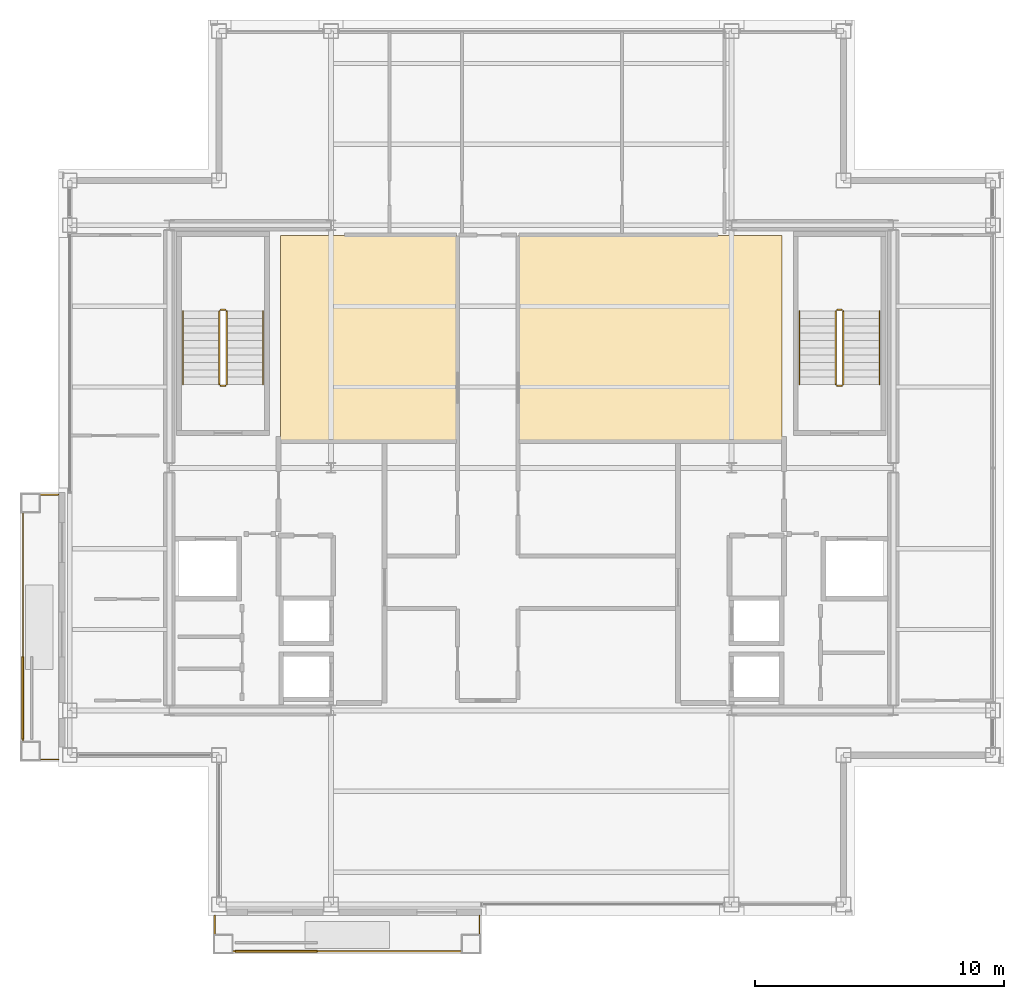
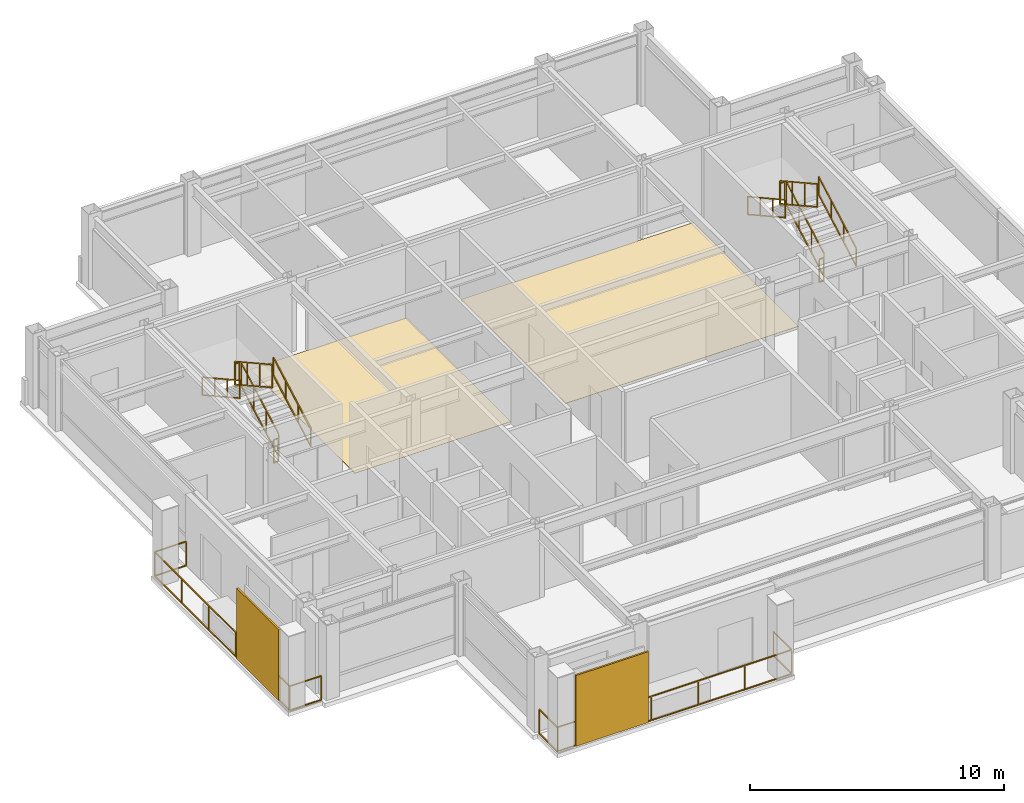
# One storey, part 23 of 24: 14 railings, 2 coverings, 2 shading devices.
"""IFC4 building model written with IfcOpenShell, lengths in metres."""

from ifc_helpers import new_model, si_unit, direction, frame, origin, origin_2d, place, context, subcontext, project, spatial, polyline, rectangle, outline, extrude, material, layer, layer_set, type_object, element, save


model = new_model("IFC4")

# Units and contexts
model_context = context("Model", 3, precision=1e-05, world=origin(), true_north=direction((0.0, 1.0)))
body_context = subcontext(model_context, "Body", "Model", "MODEL_VIEW")
ifc_project = project(units=[si_unit("LENGTHUNIT", "METRE"), si_unit("AREAUNIT", "SQUARE_METRE"), si_unit("VOLUMEUNIT", "CUBIC_METRE"), si_unit("PLANEANGLEUNIT", "RADIAN"), si_unit("MASSUNIT", "GRAM", prefix="KILO")], contexts=[model_context])

# Site, building, storey
site_placement = place(None, origin())
site = spatial("IfcSite", under=ifc_project, at=site_placement, CompositionType="ELEMENT")
building_placement = place(site_placement, origin())
building = spatial("IfcBuilding", under=site, at=building_placement, Name="Brelmoor Portico Tower", CompositionType="ELEMENT")
storey_placement = place(building_placement, frame((0.0, 0.0, 261.60009765625)))
storey = spatial("IfcBuildingStorey", under=building, at=storey_placement, Name="L69", CompositionType="ELEMENT", Elevation=261.60009765625)

# Coverings
ifc_material_1 = material(Name="Solution-Dyed Nylon Acoustic Carpet Tile", Category="textile")
ifc_layer_1 = layer(ifc_material_1, 0.013916015625)
ifc_layer_set_1 = layer_set([ifc_layer_1], Name="Solution-Dyed Nylon Acoustic Carpet Tile")
covering_type_1 = type_object("IfcCoveringType", Name="CV-FLR-CARPET-14", PredefinedType="FLOORING", material=ifc_layer_set_1)
covering_1_placement = place(storey_placement, origin())
element("IfcCovering", 1, at=covering_1_placement, inside=storey, type_object=covering_type_1, Name="L69 Architectural Floor Finish 01", PredefinedType="FLOORING", context=body_context, shape_type="SweptSolid", body=[
    extrude(outline(polyline([(-10.080078125, 1.090087890625), (-10.080078125, 9.330078125), (-2.989990234375, 9.330078125), (-2.989990234375, 1.090087890625), (-10.080078125, 1.090087890625)])), origin(), (0.0, 0.0, 1.0), 0.013916015625),
])
ifc_material_2 = material(Name="Rectified Vitrified Porcelain Floor Tile", Category="ceramic")
ifc_layer_2 = layer(ifc_material_2, 0.01806640625)
ifc_layer_set_2 = layer_set([ifc_layer_2], Name="Rectified Vitrified Porcelain Floor Tile")
covering_type_2 = type_object("IfcCoveringType", Name="CV-FLR-PORCELAIN-18", PredefinedType="FLOORING", material=ifc_layer_set_2)
covering_2_placement = place(storey_placement, origin())
element("IfcCovering", 2, at=covering_2_placement, inside=storey, type_object=covering_type_2, Name="L69 Architectural Floor Finish 02", PredefinedType="FLOORING", context=body_context, shape_type="SweptSolid", body=[
    extrude(outline(polyline([(-0.510009765625, 1.090087890625), (-0.510009765625, 9.330078125), (10.080078125, 9.330078125), (10.080078125, 1.090087890625), (-0.510009765625, 1.090087890625)])), origin(), (0.0, 0.0, 1.0), 0.017822265625),
])

# Railings
ifc_material_3 = material(Name="Perforated Pale Champagne Aluminium Fretwork Guard", Category="aluminium")
railing_type_1 = type_object("IfcRailingType", Name="RL-BALUSTRADE-1200", PredefinedType="BALUSTRADE", material=ifc_material_3)
railing_1_placement = place(storey_placement, frame((-12.719970703125, -18.0, 0.0)))
element("IfcRailing", 3, at=railing_1_placement, inside=storey, type_object=railing_type_1, Name="L69 Tree Balcony Fretwork Balustrade S", PredefinedType="BALUSTRADE", context=body_context, shape_type="SweptSolid", body=[
    extrude(rectangle(XDim=0.048095703125, YDim=0.048095703125, at=origin_2d()), frame((0.0, 0.0, 1.17578125), z_axis=(0.0, -1.0, 0.0), x_axis=(1.0, 0.0, 0.0)), (0.0, 0.0, 1.0), 1.429931640625),
    extrude(rectangle(XDim=0.048095703125, YDim=0.048095703125, at=origin_2d()), frame((0.0, 0.0, 0.02392578125), z_axis=(0.0, -1.0, 0.0), x_axis=(1.0, 0.0, 0.0)), (0.0, 0.0, 1.0), 1.429931640625),
    extrude(rectangle(XDim=0.048095703125, YDim=0.048095703125, at=origin_2d()), frame((0.0, -1.429931640625, 1.17578125), z_axis=(1.0, 0.0, 0.0), x_axis=(0.0, 1.0, 0.0)), (0.0, 0.0, 1.0), 10.639892578125),
    extrude(rectangle(XDim=0.048095703125, YDim=0.048095703125, at=origin_2d()), frame((0.0, -1.429931640625, 0.02392578125), z_axis=(1.0, 0.0, 0.0), x_axis=(0.0, 1.0, 0.0)), (0.0, 0.0, 1.0), 10.639892578125),
    extrude(rectangle(XDim=0.048095703125, YDim=0.048095703125, at=origin_2d()), frame((10.639892578125, -1.429931640625, 1.17578125), z_axis=(0.0, 1.0, 0.0), x_axis=(-1.0, 0.0, 0.0)), (0.0, 0.0, 1.0), 1.429931640625),
    extrude(rectangle(XDim=0.048095703125, YDim=0.048095703125, at=origin_2d()), frame((10.639892578125, -1.429931640625, 0.02392578125), z_axis=(0.0, 1.0, 0.0), x_axis=(-1.0, 0.0, 0.0)), (0.0, 0.0, 1.0), 1.429931640625),
    extrude(rectangle(XDim=0.0419921875, YDim=0.0419921875, at=origin_2d()), origin(), (0.0, 0.0, 1.0), 1.15185546875),
    extrude(rectangle(XDim=0.0419921875, YDim=0.0419921875, at=origin_2d()), frame((0.0, -1.429931640625, 0.0)), (0.0, 0.0, 1.0), 1.15185546875),
    extrude(rectangle(XDim=0.0419921875, YDim=0.0419921875, at=origin_2d()), frame((2.1279296875, -1.429931640625, 0.0)), (0.0, 0.0, 1.0), 1.15185546875),
    extrude(rectangle(XDim=0.0419921875, YDim=0.0419921875, at=origin_2d()), frame((4.255859375, -1.429931640625, 0.0)), (0.0, 0.0, 1.0), 1.15185546875),
    extrude(rectangle(XDim=0.0419921875, YDim=0.0419921875, at=origin_2d()), frame((6.384033203125, -1.429931640625, 0.0)), (0.0, 0.0, 1.0), 1.15185546875),
    extrude(rectangle(XDim=0.0419921875, YDim=0.0419921875, at=origin_2d()), frame((8.511962890625, -1.429931640625, 0.0)), (0.0, 0.0, 1.0), 1.15185546875),
    extrude(rectangle(XDim=0.0419921875, YDim=0.0419921875, at=origin_2d()), frame((10.639892578125, -1.429931640625, 0.0)), (0.0, 0.0, 1.0), 1.15185546875),
    extrude(rectangle(XDim=0.0419921875, YDim=0.0419921875, at=origin_2d()), frame((10.639892578125, 0.0, 0.0)), (0.0, 0.0, 1.0), 1.15185546875),
])
railing_2_placement = place(storey_placement, frame((-19.0, -11.719970703125, 0.0)))
element("IfcRailing", 4, at=railing_2_placement, inside=storey, type_object=railing_type_1, Name="L69 Tree Balcony Fretwork Balustrade W", PredefinedType="BALUSTRADE", context=body_context, shape_type="SweptSolid", body=[
    extrude(rectangle(XDim=0.048095703125, YDim=0.048095703125, at=origin_2d()), frame((0.0, 0.0, 1.17578125), z_axis=(-1.0, 0.0, 0.0), x_axis=(0.0, -1.0, 0.0)), (0.0, 0.0, 1.0), 1.429931640625),
    extrude(rectangle(XDim=0.048095703125, YDim=0.048095703125, at=origin_2d()), frame((0.0, 0.0, 0.02392578125), z_axis=(-1.0, 0.0, 0.0), x_axis=(0.0, -1.0, 0.0)), (0.0, 0.0, 1.0), 1.429931640625),
    extrude(rectangle(XDim=0.048095703125, YDim=0.048095703125, at=origin_2d()), frame((-1.429931640625, 0.0, 1.17578125), z_axis=(0.0, 1.0, 0.0), x_axis=(-1.0, 0.0, 0.0)), (0.0, 0.0, 1.0), 10.639892578125),
    extrude(rectangle(XDim=0.048095703125, YDim=0.048095703125, at=origin_2d()), frame((-1.429931640625, 0.0, 0.02392578125), z_axis=(0.0, 1.0, 0.0), x_axis=(-1.0, 0.0, 0.0)), (0.0, 0.0, 1.0), 10.639892578125),
    extrude(rectangle(XDim=0.048095703125, YDim=0.048095703125, at=origin_2d()), frame((-1.429931640625, 10.639892578125, 1.17578125), z_axis=(1.0, 0.0, 0.0), x_axis=(0.0, 1.0, 0.0)), (0.0, 0.0, 1.0), 1.429931640625),
    extrude(rectangle(XDim=0.048095703125, YDim=0.048095703125, at=origin_2d()), frame((-1.429931640625, 10.639892578125, 0.02392578125), z_axis=(1.0, 0.0, 0.0), x_axis=(0.0, 1.0, 0.0)), (0.0, 0.0, 1.0), 1.429931640625),
    extrude(rectangle(XDim=0.0419921875, YDim=0.0419921875, at=origin_2d()), origin(), (0.0, 0.0, 1.0), 1.15185546875),
    extrude(rectangle(XDim=0.0419921875, YDim=0.0419921875, at=origin_2d()), frame((-1.429931640625, 0.0, 0.0)), (0.0, 0.0, 1.0), 1.15185546875),
    extrude(rectangle(XDim=0.0419921875, YDim=0.0419921875, at=origin_2d()), frame((-1.429931640625, 2.1279296875, 0.0)), (0.0, 0.0, 1.0), 1.15185546875),
    extrude(rectangle(XDim=0.0419921875, YDim=0.0419921875, at=origin_2d()), frame((-1.429931640625, 4.255859375, 0.0)), (0.0, 0.0, 1.0), 1.15185546875),
    extrude(rectangle(XDim=0.0419921875, YDim=0.0419921875, at=origin_2d()), frame((-1.429931640625, 6.384033203125, 0.0)), (0.0, 0.0, 1.0), 1.15185546875),
    extrude(rectangle(XDim=0.0419921875, YDim=0.0419921875, at=origin_2d()), frame((-1.429931640625, 8.511962890625, 0.0)), (0.0, 0.0, 1.0), 1.15185546875),
    extrude(rectangle(XDim=0.0419921875, YDim=0.0419921875, at=origin_2d()), frame((-1.429931640625, 10.639892578125, 0.0)), (0.0, 0.0, 1.0), 1.15185546875),
    extrude(rectangle(XDim=0.0419921875, YDim=0.0419921875, at=origin_2d()), frame((0.0, 10.639892578125, 0.0)), (0.0, 0.0, 1.0), 1.15185546875),
])
ifc_material_4 = material(Name="Painted Tubular Steel Q235B", Category="steel")
railing_type_2 = type_object("IfcRailingType", Name="RL-STAIR-GUARD", PredefinedType="GUARDRAIL", material=ifc_material_4)
railing_3_placement = place(storey_placement, frame((-12.239990234375, 3.35009765625, 0.16357421875)))
element("IfcRailing", 5, at=railing_3_placement, inside=storey, type_object=railing_type_2, Name="L69 ST-W stair guard 1", PredefinedType="GUARDRAIL", context=body_context, shape_type="SweptSolid", body=[
    extrude(rectangle(XDim=0.048095703125, YDim=0.048095703125, at=origin_2d()), frame((0.0, 0.0, 1.1259765625), z_axis=(0.0, 0.87448821551, 0.485046761595), x_axis=(-1.0, 0.0, 0.0)), (0.0, 0.0, 1.0), 3.373291015625),
    extrude(rectangle(XDim=0.048095703125, YDim=0.048095703125, at=origin_2d()), frame((0.0, 0.0, 0.02392578125), z_axis=(0.0, 0.87448821551, 0.485046761595), x_axis=(-1.0, 0.0, 0.0)), (0.0, 0.0, 1.0), 3.373291015625),
    extrude(rectangle(XDim=0.0419921875, YDim=0.0419921875, at=origin_2d()), origin(), (0.0, 0.0, 1.0), 1.101806640625),
    extrude(rectangle(XDim=0.0419921875, YDim=0.0419921875, at=origin_2d()), frame((0.0, 0.9833984375, 0.54541015625)), (0.0, 0.0, 1.0), 1.101806640625),
    extrude(rectangle(XDim=0.0419921875, YDim=0.0419921875, at=origin_2d()), frame((0.0, 1.966552734375, 1.0908203125)), (0.0, 0.0, 1.0), 1.101806640625),
    extrude(rectangle(XDim=0.0419921875, YDim=0.0419921875, at=origin_2d()), frame((0.0, 2.949951171875, 1.63623046875)), (0.0, 0.0, 1.0), 1.101806640625),
])
railing_4_placement = place(storey_placement, frame((-12.2900390625, 6.35009765625, 1.7998046875)))
element("IfcRailing", 6, at=railing_4_placement, inside=storey, type_object=railing_type_2, Name="L69 ST-W stair guard 2", PredefinedType="GUARDRAIL", context=body_context, shape_type="SweptSolid", body=[
    extrude(rectangle(XDim=0.048095703125, YDim=0.048095703125, at=origin_2d()), frame((0.0, 0.0, 1.1259765625), z_axis=(-1.0, 0.0, 0.0), x_axis=(0.0, -1.0, 0.0)), (0.0, 0.0, 1.0), 0.199951171875),
    extrude(rectangle(XDim=0.048095703125, YDim=0.048095703125, at=origin_2d()), frame((0.0, 0.0, 0.02392578125), z_axis=(-1.0, 0.0, 0.0), x_axis=(0.0, -1.0, 0.0)), (0.0, 0.0, 1.0), 0.199951171875),
    extrude(rectangle(XDim=0.0419921875, YDim=0.0419921875, at=origin_2d()), origin(), (0.0, 0.0, 1.0), 1.101806640625),
    extrude(rectangle(XDim=0.0419921875, YDim=0.0419921875, at=origin_2d()), frame((-0.199951171875, 0.0, 0.0)), (0.0, 0.0, 1.0), 1.101806640625),
])
railing_5_placement = place(storey_placement, frame((-12.5400390625, 6.300048828125, 1.963623046875)))
element("IfcRailing", 7, at=railing_5_placement, inside=storey, type_object=railing_type_2, Name="L69 ST-W stair guard 3", PredefinedType="GUARDRAIL", context=body_context, shape_type="SweptSolid", body=[
    extrude(rectangle(XDim=0.048095703125, YDim=0.048095703125, at=origin_2d()), frame((0.0, 0.0, 1.1259765625), z_axis=(0.0, -0.87448821551, 0.485046761595), x_axis=(1.0, 0.0, 0.0)), (0.0, 0.0, 1.0), 3.373291015625),
    extrude(rectangle(XDim=0.048095703125, YDim=0.048095703125, at=origin_2d()), frame((0.0, 0.0, 0.02392578125), z_axis=(0.0, -0.87448821551, 0.485046761595), x_axis=(1.0, 0.0, 0.0)), (0.0, 0.0, 1.0), 3.373291015625),
    extrude(rectangle(XDim=0.0419921875, YDim=0.0419921875, at=origin_2d()), origin(), (0.0, 0.0, 1.0), 1.101806640625),
    extrude(rectangle(XDim=0.0419921875, YDim=0.0419921875, at=origin_2d()), frame((0.0, -0.9833984375, 0.54541015625)), (0.0, 0.0, 1.0), 1.101806640625),
    extrude(rectangle(XDim=0.0419921875, YDim=0.0419921875, at=origin_2d()), frame((0.0, -1.966552734375, 1.0908203125)), (0.0, 0.0, 1.0), 1.101806640625),
    extrude(rectangle(XDim=0.0419921875, YDim=0.0419921875, at=origin_2d()), frame((0.0, -2.949951171875, 1.63623046875)), (0.0, 0.0, 1.0), 1.101806640625),
])
railing_6_placement = place(storey_placement, frame((-12.2900390625, 3.300048828125, 0.0)))
element("IfcRailing", 8, at=railing_6_placement, inside=storey, type_object=railing_type_2, Name="L69 ST-W stair guard 4", PredefinedType="GUARDRAIL", context=body_context, shape_type="SweptSolid", body=[
    extrude(rectangle(XDim=0.048095703125, YDim=0.048095703125, at=origin_2d()), frame((0.0, 0.0, 1.1259765625), z_axis=(-1.0, 0.0, 0.0), x_axis=(0.0, -1.0, 0.0)), (0.0, 0.0, 1.0), 0.199951171875),
    extrude(rectangle(XDim=0.048095703125, YDim=0.048095703125, at=origin_2d()), frame((0.0, 0.0, 0.02392578125), z_axis=(-1.0, 0.0, 0.0), x_axis=(0.0, -1.0, 0.0)), (0.0, 0.0, 1.0), 0.199951171875),
    extrude(rectangle(XDim=0.0419921875, YDim=0.0419921875, at=origin_2d()), origin(), (0.0, 0.0, 1.0), 1.101806640625),
    extrude(rectangle(XDim=0.0419921875, YDim=0.0419921875, at=origin_2d()), frame((-0.199951171875, 0.0, 0.0)), (0.0, 0.0, 1.0), 1.101806640625),
])
railing_7_placement = place(storey_placement, frame((12.5400390625, 3.35009765625, 0.16357421875)))
element("IfcRailing", 9, at=railing_7_placement, inside=storey, type_object=railing_type_2, Name="L69 ST-E stair guard 1", PredefinedType="GUARDRAIL", context=body_context, shape_type="SweptSolid", body=[
    extrude(rectangle(XDim=0.048095703125, YDim=0.048095703125, at=origin_2d()), frame((0.0, 0.0, 1.1259765625), z_axis=(0.0, 0.87448821551, 0.485046761595), x_axis=(-1.0, 0.0, 0.0)), (0.0, 0.0, 1.0), 3.373291015625),
    extrude(rectangle(XDim=0.048095703125, YDim=0.048095703125, at=origin_2d()), frame((0.0, 0.0, 0.02392578125), z_axis=(0.0, 0.87448821551, 0.485046761595), x_axis=(-1.0, 0.0, 0.0)), (0.0, 0.0, 1.0), 3.373291015625),
    extrude(rectangle(XDim=0.0419921875, YDim=0.0419921875, at=origin_2d()), origin(), (0.0, 0.0, 1.0), 1.101806640625),
    extrude(rectangle(XDim=0.0419921875, YDim=0.0419921875, at=origin_2d()), frame((0.0, 0.9833984375, 0.54541015625)), (0.0, 0.0, 1.0), 1.101806640625),
    extrude(rectangle(XDim=0.0419921875, YDim=0.0419921875, at=origin_2d()), frame((0.0, 1.966552734375, 1.0908203125)), (0.0, 0.0, 1.0), 1.101806640625),
    extrude(rectangle(XDim=0.0419921875, YDim=0.0419921875, at=origin_2d()), frame((0.0, 2.949951171875, 1.63623046875)), (0.0, 0.0, 1.0), 1.101806640625),
])
railing_8_placement = place(storey_placement, frame((12.489990234375, 6.35009765625, 1.7998046875)))
element("IfcRailing", 10, at=railing_8_placement, inside=storey, type_object=railing_type_2, Name="L69 ST-E stair guard 2", PredefinedType="GUARDRAIL", context=body_context, shape_type="SweptSolid", body=[
    extrude(rectangle(XDim=0.048095703125, YDim=0.048095703125, at=origin_2d()), frame((0.0, 0.0, 1.1259765625), z_axis=(-1.0, 0.0, 0.0), x_axis=(0.0, -1.0, 0.0)), (0.0, 0.0, 1.0), 0.199951171875),
    extrude(rectangle(XDim=0.048095703125, YDim=0.048095703125, at=origin_2d()), frame((0.0, 0.0, 0.02392578125), z_axis=(-1.0, 0.0, 0.0), x_axis=(0.0, -1.0, 0.0)), (0.0, 0.0, 1.0), 0.199951171875),
    extrude(rectangle(XDim=0.0419921875, YDim=0.0419921875, at=origin_2d()), origin(), (0.0, 0.0, 1.0), 1.101806640625),
    extrude(rectangle(XDim=0.0419921875, YDim=0.0419921875, at=origin_2d()), frame((-0.199951171875, 0.0, 0.0)), (0.0, 0.0, 1.0), 1.101806640625),
])
railing_9_placement = place(storey_placement, frame((12.239990234375, 6.300048828125, 1.963623046875)))
element("IfcRailing", 11, at=railing_9_placement, inside=storey, type_object=railing_type_2, Name="L69 ST-E stair guard 3", PredefinedType="GUARDRAIL", context=body_context, shape_type="SweptSolid", body=[
    extrude(rectangle(XDim=0.048095703125, YDim=0.048095703125, at=origin_2d()), frame((0.0, 0.0, 1.1259765625), z_axis=(0.0, -0.87448821551, 0.485046761595), x_axis=(1.0, 0.0, 0.0)), (0.0, 0.0, 1.0), 3.373291015625),
    extrude(rectangle(XDim=0.048095703125, YDim=0.048095703125, at=origin_2d()), frame((0.0, 0.0, 0.02392578125), z_axis=(0.0, -0.87448821551, 0.485046761595), x_axis=(1.0, 0.0, 0.0)), (0.0, 0.0, 1.0), 3.373291015625),
    extrude(rectangle(XDim=0.0419921875, YDim=0.0419921875, at=origin_2d()), origin(), (0.0, 0.0, 1.0), 1.101806640625),
    extrude(rectangle(XDim=0.0419921875, YDim=0.0419921875, at=origin_2d()), frame((0.0, -0.9833984375, 0.54541015625)), (0.0, 0.0, 1.0), 1.101806640625),
    extrude(rectangle(XDim=0.0419921875, YDim=0.0419921875, at=origin_2d()), frame((0.0, -1.966552734375, 1.0908203125)), (0.0, 0.0, 1.0), 1.101806640625),
    extrude(rectangle(XDim=0.0419921875, YDim=0.0419921875, at=origin_2d()), frame((0.0, -2.949951171875, 1.63623046875)), (0.0, 0.0, 1.0), 1.101806640625),
])
railing_10_placement = place(storey_placement, frame((12.489990234375, 3.300048828125, 0.0)))
element("IfcRailing", 12, at=railing_10_placement, inside=storey, type_object=railing_type_2, Name="L69 ST-E stair guard 4", PredefinedType="GUARDRAIL", context=body_context, shape_type="SweptSolid", body=[
    extrude(rectangle(XDim=0.048095703125, YDim=0.048095703125, at=origin_2d()), frame((0.0, 0.0, 1.1259765625), z_axis=(-1.0, 0.0, 0.0), x_axis=(0.0, -1.0, 0.0)), (0.0, 0.0, 1.0), 0.199951171875),
    extrude(rectangle(XDim=0.048095703125, YDim=0.048095703125, at=origin_2d()), frame((0.0, 0.0, 0.02392578125), z_axis=(-1.0, 0.0, 0.0), x_axis=(0.0, -1.0, 0.0)), (0.0, 0.0, 1.0), 0.199951171875),
    extrude(rectangle(XDim=0.0419921875, YDim=0.0419921875, at=origin_2d()), origin(), (0.0, 0.0, 1.0), 1.101806640625),
    extrude(rectangle(XDim=0.0419921875, YDim=0.0419921875, at=origin_2d()), frame((-0.199951171875, 0.0, 0.0)), (0.0, 0.0, 1.0), 1.101806640625),
])
ifc_material_5 = material(Name="Brushed Stainless Steel 304", Category="steel")
railing_type_3 = type_object("IfcRailingType", Name="RL-STAIR-HANDRAIL", PredefinedType="HANDRAIL", material=ifc_material_5)
railing_11_placement = place(storey_placement, frame((-10.780029296875, 3.35009765625, 0.16357421875)))
element("IfcRailing", 13, at=railing_11_placement, inside=storey, type_object=railing_type_3, Name="L69 ST-W stair handrail 1", PredefinedType="HANDRAIL", context=body_context, shape_type="SweptSolid", body=[
    extrude(rectangle(XDim=0.048095703125, YDim=0.048095703125, at=origin_2d()), frame((0.0, 0.0, 0.8759765625), z_axis=(0.0, 0.87448821551, 0.485046761595), x_axis=(-1.0, 0.0, 0.0)), (0.0, 0.0, 1.0), 3.373291015625),
    extrude(rectangle(XDim=0.048095703125, YDim=0.048095703125, at=origin_2d()), frame((0.0, 0.0, 0.02392578125), z_axis=(0.0, 0.87448821551, 0.485046761595), x_axis=(-1.0, 0.0, 0.0)), (0.0, 0.0, 1.0), 3.373291015625),
    extrude(rectangle(XDim=0.0419921875, YDim=0.0419921875, at=origin_2d()), origin(), (0.0, 0.0, 1.0), 0.851806640625),
    extrude(rectangle(XDim=0.0419921875, YDim=0.0419921875, at=origin_2d()), frame((0.0, 0.9833984375, 0.54541015625)), (0.0, 0.0, 1.0), 0.851806640625),
    extrude(rectangle(XDim=0.0419921875, YDim=0.0419921875, at=origin_2d()), frame((0.0, 1.966552734375, 1.0908203125)), (0.0, 0.0, 1.0), 0.851806640625),
    extrude(rectangle(XDim=0.0419921875, YDim=0.0419921875, at=origin_2d()), frame((0.0, 2.949951171875, 1.63623046875)), (0.0, 0.0, 1.0), 0.851806640625),
])
railing_12_placement = place(storey_placement, frame((-14.0, 6.300048828125, 1.963623046875)))
element("IfcRailing", 14, at=railing_12_placement, inside=storey, type_object=railing_type_3, Name="L69 ST-W stair handrail 2", PredefinedType="HANDRAIL", context=body_context, shape_type="SweptSolid", body=[
    extrude(rectangle(XDim=0.048095703125, YDim=0.048095703125, at=origin_2d()), frame((0.0, 0.0, 0.8759765625), z_axis=(0.0, -0.87448821551, 0.485046761595), x_axis=(1.0, 0.0, 0.0)), (0.0, 0.0, 1.0), 3.373291015625),
    extrude(rectangle(XDim=0.048095703125, YDim=0.048095703125, at=origin_2d()), frame((0.0, 0.0, 0.02392578125), z_axis=(0.0, -0.87448821551, 0.485046761595), x_axis=(1.0, 0.0, 0.0)), (0.0, 0.0, 1.0), 3.373291015625),
    extrude(rectangle(XDim=0.0419921875, YDim=0.0419921875, at=origin_2d()), origin(), (0.0, 0.0, 1.0), 0.851806640625),
    extrude(rectangle(XDim=0.0419921875, YDim=0.0419921875, at=origin_2d()), frame((0.0, -0.9833984375, 0.54541015625)), (0.0, 0.0, 1.0), 0.851806640625),
    extrude(rectangle(XDim=0.0419921875, YDim=0.0419921875, at=origin_2d()), frame((0.0, -1.966552734375, 1.0908203125)), (0.0, 0.0, 1.0), 0.851806640625),
    extrude(rectangle(XDim=0.0419921875, YDim=0.0419921875, at=origin_2d()), frame((0.0, -2.949951171875, 1.63623046875)), (0.0, 0.0, 1.0), 0.851806640625),
])
railing_13_placement = place(storey_placement, frame((14.0, 3.35009765625, 0.16357421875)))
element("IfcRailing", 15, at=railing_13_placement, inside=storey, type_object=railing_type_3, Name="L69 ST-E stair handrail 1", PredefinedType="HANDRAIL", context=body_context, shape_type="SweptSolid", body=[
    extrude(rectangle(XDim=0.048095703125, YDim=0.048095703125, at=origin_2d()), frame((0.0, 0.0, 0.8759765625), z_axis=(0.0, 0.87448821551, 0.485046761595), x_axis=(-1.0, 0.0, 0.0)), (0.0, 0.0, 1.0), 3.373291015625),
    extrude(rectangle(XDim=0.048095703125, YDim=0.048095703125, at=origin_2d()), frame((0.0, 0.0, 0.02392578125), z_axis=(0.0, 0.87448821551, 0.485046761595), x_axis=(-1.0, 0.0, 0.0)), (0.0, 0.0, 1.0), 3.373291015625),
    extrude(rectangle(XDim=0.0419921875, YDim=0.0419921875, at=origin_2d()), origin(), (0.0, 0.0, 1.0), 0.851806640625),
    extrude(rectangle(XDim=0.0419921875, YDim=0.0419921875, at=origin_2d()), frame((0.0, 0.9833984375, 0.54541015625)), (0.0, 0.0, 1.0), 0.851806640625),
    extrude(rectangle(XDim=0.0419921875, YDim=0.0419921875, at=origin_2d()), frame((0.0, 1.966552734375, 1.0908203125)), (0.0, 0.0, 1.0), 0.851806640625),
    extrude(rectangle(XDim=0.0419921875, YDim=0.0419921875, at=origin_2d()), frame((0.0, 2.949951171875, 1.63623046875)), (0.0, 0.0, 1.0), 0.851806640625),
])
railing_14_placement = place(storey_placement, frame((10.780029296875, 6.300048828125, 1.963623046875)))
element("IfcRailing", 16, at=railing_14_placement, inside=storey, type_object=railing_type_3, Name="L69 ST-E stair handrail 2", PredefinedType="HANDRAIL", context=body_context, shape_type="SweptSolid", body=[
    extrude(rectangle(XDim=0.048095703125, YDim=0.048095703125, at=origin_2d()), frame((0.0, 0.0, 0.8759765625), z_axis=(0.0, -0.87448821551, 0.485046761595), x_axis=(1.0, 0.0, 0.0)), (0.0, 0.0, 1.0), 3.373291015625),
    extrude(rectangle(XDim=0.048095703125, YDim=0.048095703125, at=origin_2d()), frame((0.0, 0.0, 0.02392578125), z_axis=(0.0, -0.87448821551, 0.485046761595), x_axis=(1.0, 0.0, 0.0)), (0.0, 0.0, 1.0), 3.373291015625),
    extrude(rectangle(XDim=0.0419921875, YDim=0.0419921875, at=origin_2d()), origin(), (0.0, 0.0, 1.0), 0.851806640625),
    extrude(rectangle(XDim=0.0419921875, YDim=0.0419921875, at=origin_2d()), frame((0.0, -0.9833984375, 0.54541015625)), (0.0, 0.0, 1.0), 0.851806640625),
    extrude(rectangle(XDim=0.0419921875, YDim=0.0419921875, at=origin_2d()), frame((0.0, -1.966552734375, 1.0908203125)), (0.0, 0.0, 1.0), 0.851806640625),
    extrude(rectangle(XDim=0.0419921875, YDim=0.0419921875, at=origin_2d()), frame((0.0, -2.949951171875, 1.63623046875)), (0.0, 0.0, 1.0), 0.851806640625),
])

# Shading devices
ifc_material_6 = material(Name="Powder-Coated Aluminium Shuttered Jalousie", Category="aluminium")
ifc_layer_3 = layer(ifc_material_6, 0.080078125)
ifc_layer_set_3 = layer_set([ifc_layer_3], Name="Powder-Coated Aluminium Shuttered Jalousie")
shading_device_type = type_object("IfcShadingDeviceType", Name="SD-JALOUSIE-LOGGIA", PredefinedType="JALOUSIE", material=ifc_layer_set_3)
for number, where, z_axis, x_axis, name in (
    (17, (-10.25, -19.429931640625, 0.0), (0.0, 0.0, 1.0), (1.0, 0.0, 0.0), "L69 Loggia Shuttered Jalousie S"),
    (18, (-20.429931640625, -9.25, 0.0), (0.0, 0.0, 1.0), (0.0, 1.0, 0.0), "L69 Loggia Shuttered Jalousie W"),
):
    element("IfcShadingDevice", number, at=place(storey_placement, frame(where, z_axis=z_axis, x_axis=x_axis)), inside=storey, type_object=shading_device_type, Name=name, PredefinedType="JALOUSIE", context=body_context, shape_type="SweptSolid", body=[
        extrude(rectangle(XDim=3.300048828125, YDim=0.080078125, at=origin_2d()), origin(), (0.0, 0.0, 1.0), 3.39990234375),
    ])

save(model, "model.ifc")
